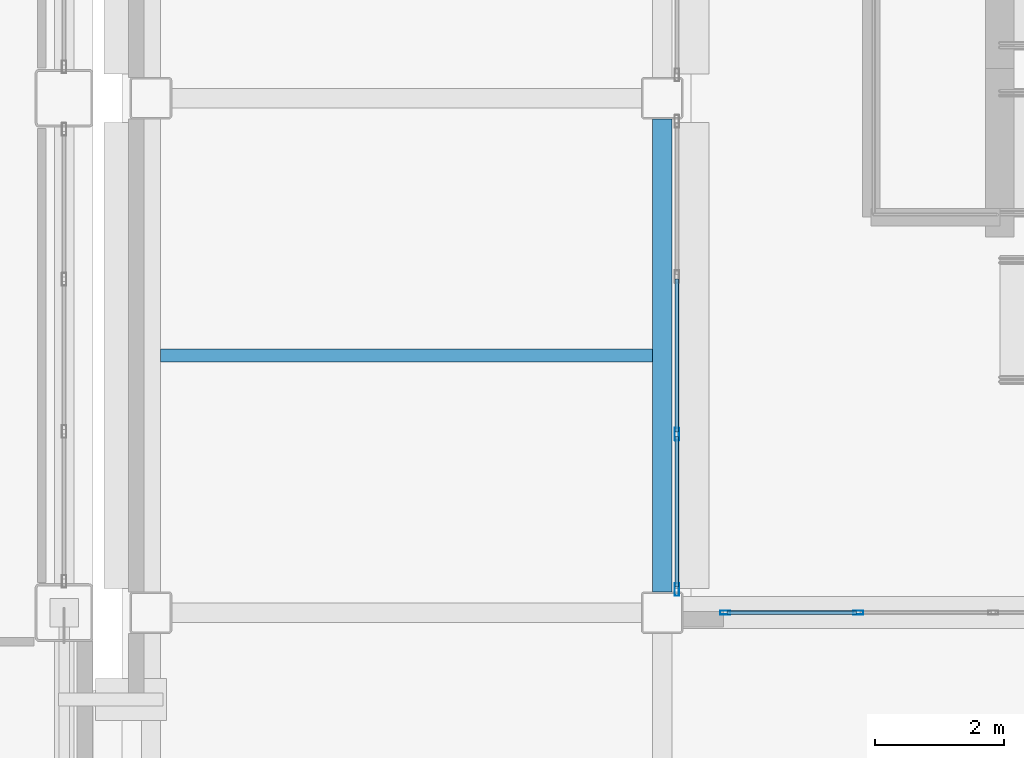
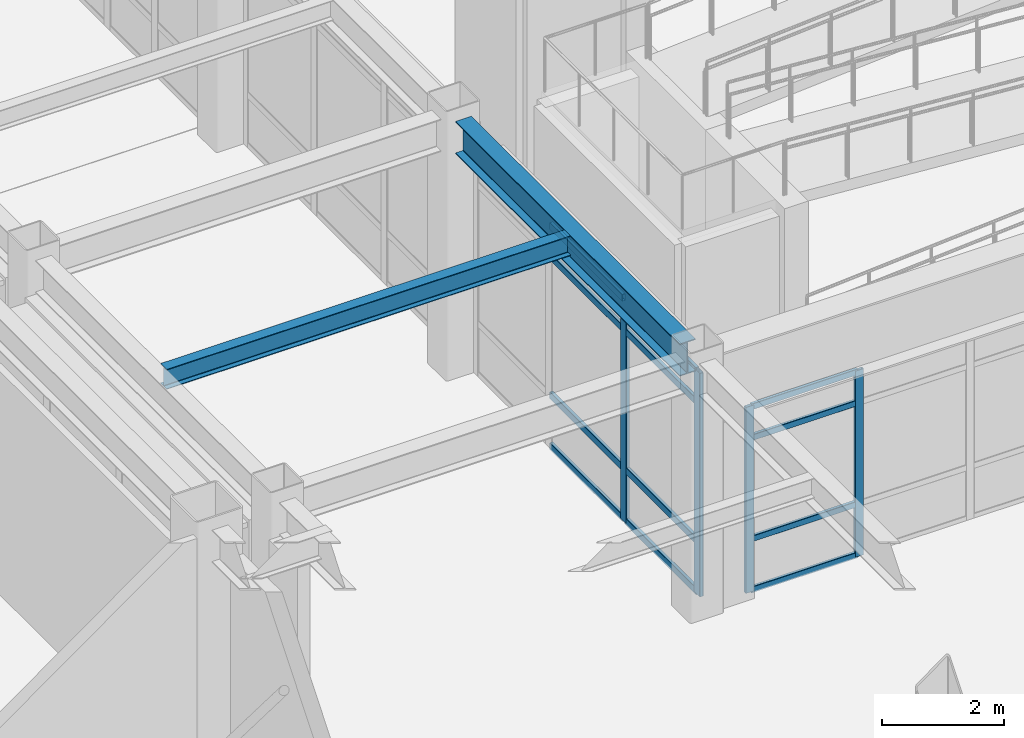
# One storey, part 49 of 165: 16 members, 2 beams, 2 elements without a shape of their own.
"""IFC4 building model written with IfcOpenShell, lengths in metres."""

from ifc_helpers import new_model, si_unit, direction, frame, origin, origin_2d, place, context, subcontext, project, spatial, hollow_rectangle, i_section, extrude, material, layer, layer_set, material_profile, profile_set, type_object, element, aggregate, save


model = new_model("IFC4")

# Units and contexts
model_context = context("Model", 3, precision=1e-05, world=origin(), true_north=direction((0.0, 1.0)))
body_context = subcontext(model_context, "Body", "Model", "MODEL_VIEW")
ifc_project = project(units=[si_unit("LENGTHUNIT", "METRE"), si_unit("AREAUNIT", "SQUARE_METRE"), si_unit("VOLUMEUNIT", "CUBIC_METRE"), si_unit("PLANEANGLEUNIT", "RADIAN"), si_unit("MASSUNIT", "GRAM", prefix="KILO")], contexts=[model_context])

# Site, building, storey
site_placement = place(None, origin())
site = spatial("IfcSite", under=ifc_project, at=site_placement, CompositionType="ELEMENT")
building_placement = place(site_placement, origin())
building = spatial("IfcBuilding", under=site, at=building_placement, Name="Kazehara Bluff Congress Hotel", CompositionType="ELEMENT")
storey_placement = place(building_placement, origin())
storey = spatial("IfcBuildingStorey", under=building, at=storey_placement, Name="L00", CompositionType="ELEMENT", Elevation=0.0)

# Curtain wall, members
ifc_material_1 = material(Name="Anodised aluminium", Category="aluminium")
ifc_layer_1 = layer(ifc_material_1, 0.159912109375)
ifc_layer_set_1 = layer_set([ifc_layer_1], Name="Anodised aluminium")
curtain_wall_type_1 = type_object("IfcCurtainWallType", Name="TP-CW-67", PredefinedType="NOTDEFINED", material=ifc_layer_set_1)
curtain_wall_1_placement = place(storey_placement, origin())
curtain_wall_1 = element("IfcCurtainWall", 1, at=curtain_wall_1_placement, inside=storey, type_object=curtain_wall_type_1, Name="L00 curtain wall CW-67 CW-V4-L00-Y5645-6860", PredefinedType="NOTDEFINED")
ifc_material_2 = material(Name="Anodised aluminium", Category="aluminium")
ifc_material_profile_1 = material_profile(ifc_material_2, hollow_rectangle(XDim=0.06005859375, YDim=0.159912109375, WallThickness=0.00390625, InnerFilletRadius=0.00390625, OuterFilletRadius=0.008056640625, at=origin_2d()))
ifc_profile_set_1 = profile_set([ifc_material_profile_1], Name="Anodised aluminium")
member_type_1 = type_object("IfcMemberType", Name="TP-CWM-01", PredefinedType="MULLION", material=ifc_profile_set_1)
member_1_placement = place(storey_placement, frame((68.6298828125, 56.449951171875, 0.0), z_axis=(0.0, 0.0, 1.0), x_axis=(0.0, 1.0, 0.0)))
member_1 = element("IfcMember", 2, at=member_1_placement, type_object=member_type_1, Name="CW-67 mullion 1", PredefinedType="MULLION", context=body_context, shape_type="SweptSolid", body=[
    extrude(hollow_rectangle(XDim=0.06005859375, YDim=0.159912109375, WallThickness=0.00390625, InnerFilletRadius=0.00390625, OuterFilletRadius=0.008056640625, at=origin_2d()), origin(), (0.0, 0.0, 1.0), 3.72509765625),
])
member_2_placement = place(storey_placement, frame((70.699951171875, 56.449951171875, 0.0), z_axis=(0.0, 0.0, 1.0), x_axis=(0.0, 1.0, 0.0)))
member_2 = element("IfcMember", 3, at=member_2_placement, type_object=member_type_1, Name="CW-67 mullion 2", PredefinedType="MULLION", context=body_context, shape_type="SweptSolid", body=[
    extrude(hollow_rectangle(XDim=0.06005859375, YDim=0.159912109375, WallThickness=0.00390625, InnerFilletRadius=0.00390625, OuterFilletRadius=0.008056640625, at=origin_2d()), origin(), (0.0, 0.0, 1.0), 3.72509765625),
])

ifc_material_3 = material(Name="Anodised aluminium", Category="aluminium")
ifc_layer_2 = layer(ifc_material_3, 0.159912109375)
ifc_layer_set_2 = layer_set([ifc_layer_2], Name="Anodised aluminium")
curtain_wall_type_2 = type_object("IfcCurtainWallType", Name="TP-CW-52", PredefinedType="NOTDEFINED", material=ifc_layer_set_2)
curtain_wall_2_placement = place(storey_placement, origin())
curtain_wall_2 = element("IfcCurtainWall", 4, at=curtain_wall_2_placement, inside=storey, type_object=curtain_wall_type_2, Name="L00 curtain wall CW-52 CW-ENC-V4-L00-6788-6045", PredefinedType="NOTDEFINED")
ifc_material_4 = material(Name="Anodised aluminium", Category="aluminium")
ifc_material_profile_2 = material_profile(ifc_material_4, hollow_rectangle(XDim=0.070068359375, YDim=0.199951171875, WallThickness=0.0048828125, InnerFilletRadius=0.0048828125, OuterFilletRadius=0.010009765625, at=origin_2d()))
ifc_profile_set_2 = profile_set([ifc_material_profile_2], Name="Anodised aluminium")
member_type_2 = type_object("IfcMemberType", Name="TP-CWM-03", PredefinedType="MULLION", material=ifc_profile_set_2)
member_3_placement = place(storey_placement, frame((67.8798828125, 59.22509765625, 0.0), z_axis=(0.0, 0.0, 1.0), x_axis=(1.0, 0.0, 0.0)))
member_3 = element("IfcMember", 5, at=member_3_placement, type_object=member_type_2, Name="CW-52 mullion 3", PredefinedType="MULLION", context=body_context, shape_type="SweptSolid", body=[
    extrude(hollow_rectangle(XDim=0.070068359375, YDim=0.199951171875, WallThickness=0.0048828125, InnerFilletRadius=0.0048828125, OuterFilletRadius=0.010009765625, at=origin_2d()), origin(), (0.0, 0.0, 1.0), 4.47509765625),
])
member_4_placement = place(storey_placement, frame((67.8798828125, 56.81005859375, 0.0), z_axis=(0.0, 0.0, 1.0), x_axis=(1.0, 0.0, 0.0)))
member_4 = element("IfcMember", 6, at=member_4_placement, type_object=member_type_2, Name="CW-52 mullion 4", PredefinedType="MULLION", context=body_context, shape_type="SweptSolid", body=[
    extrude(hollow_rectangle(XDim=0.070068359375, YDim=0.199951171875, WallThickness=0.0048828125, InnerFilletRadius=0.0048828125, OuterFilletRadius=0.010009765625, at=origin_2d()), origin(), (0.0, 0.0, 1.0), 4.47509765625),
])

# Member
ifc_material_5 = material(Name="Anodised aluminium", Category="aluminium")
ifc_material_profile_3 = material_profile(ifc_material_5, hollow_rectangle(XDim=0.06005859375, YDim=0.1201171875, WallThickness=0.00390625, InnerFilletRadius=0.00390625, OuterFilletRadius=0.008056640625, at=origin_2d()))
ifc_profile_set_3 = profile_set([ifc_material_profile_3], Name="Anodised aluminium")
member_type_3 = type_object("IfcMemberType", Name="TP-CWT-01", PredefinedType="USERDEFINED", material=ifc_profile_set_3)
member_5_placement = place(storey_placement, frame((68.659912109375, 56.449951171875, 0.030029296875), z_axis=(1.0, 0.0, 0.0), x_axis=(0.0, 1.0, 0.0)))
member_5 = element("IfcMember", 7, at=member_5_placement, type_object=member_type_3, Name="CW-67 transom 1.1", ObjectType="TRANSOM", PredefinedType="USERDEFINED", context=body_context, shape_type="SweptSolid", body=[
    extrude(hollow_rectangle(XDim=0.06005859375, YDim=0.1201171875, WallThickness=0.00390625, InnerFilletRadius=0.00390625, OuterFilletRadius=0.008056640625, at=origin_2d()), origin(), (0.0, 0.0, 1.0), 2.010009765625),
])

member_6_placement = place(storey_placement, frame((68.659912109375, 56.449951171875, 1.050048828125), z_axis=(1.0, 0.0, 0.0), x_axis=(0.0, 1.0, 0.0)))
member_6 = element("IfcMember", 8, at=member_6_placement, type_object=member_type_3, Name="CW-67 transom 1.2", ObjectType="TRANSOM", PredefinedType="USERDEFINED", context=body_context, shape_type="SweptSolid", body=[
    extrude(hollow_rectangle(XDim=0.06005859375, YDim=0.1201171875, WallThickness=0.00390625, InnerFilletRadius=0.00390625, OuterFilletRadius=0.008056640625, at=origin_2d()), origin(), (0.0, 0.0, 1.0), 2.010009765625),
])

member_7_placement = place(storey_placement, frame((68.659912109375, 56.449951171875, 3.074951171875), z_axis=(1.0, 0.0, 0.0), x_axis=(0.0, 1.0, 0.0)))
member_7 = element("IfcMember", 9, at=member_7_placement, type_object=member_type_3, Name="CW-67 transom 1.3", ObjectType="TRANSOM", PredefinedType="USERDEFINED", context=body_context, shape_type="SweptSolid", body=[
    extrude(hollow_rectangle(XDim=0.06005859375, YDim=0.1201171875, WallThickness=0.00390625, InnerFilletRadius=0.00390625, OuterFilletRadius=0.008056640625, at=origin_2d()), origin(), (0.0, 0.0, 1.0), 2.010009765625),
])

member_8_placement = place(storey_placement, frame((68.659912109375, 56.449951171875, 3.695068359375), z_axis=(1.0, 0.0, 0.0), x_axis=(0.0, 1.0, 0.0)))
member_8 = element("IfcMember", 10, at=member_8_placement, type_object=member_type_3, Name="CW-67 transom 1.4", ObjectType="TRANSOM", PredefinedType="USERDEFINED", context=body_context, shape_type="SweptSolid", body=[
    extrude(hollow_rectangle(XDim=0.06005859375, YDim=0.1201171875, WallThickness=0.00390625, InnerFilletRadius=0.00390625, OuterFilletRadius=0.008056640625, at=origin_2d()), origin(), (0.0, 0.0, 1.0), 2.010009765625),
])

aggregate(curtain_wall_1, [member_1, member_2, member_5, member_6, member_7, member_8])

ifc_material_6 = material(Name="Anodised aluminium", Category="aluminium")
ifc_material_profile_4 = material_profile(ifc_material_6, hollow_rectangle(XDim=0.06494140625, YDim=0.139892578125, WallThickness=0.00390625, InnerFilletRadius=0.00390625, OuterFilletRadius=0.008056640625, at=origin_2d()))
ifc_profile_set_4 = profile_set([ifc_material_profile_4], Name="Anodised aluminium")
member_type_4 = type_object("IfcMemberType", Name="TP-CWT-02", PredefinedType="USERDEFINED", material=ifc_profile_set_4)
member_9_placement = place(storey_placement, frame((67.8798828125, 61.639892578125, 0.032470703125), z_axis=(0.0, -1.0, 0.0), x_axis=(1.0, 0.0, 0.0)))
member_9 = element("IfcMember", 11, at=member_9_placement, type_object=member_type_4, Name="CW-52 transom 2.1", ObjectType="TRANSOM", PredefinedType="USERDEFINED", context=body_context, shape_type="SweptSolid", body=[
    extrude(hollow_rectangle(XDim=0.06494140625, YDim=0.139892578125, WallThickness=0.00390625, InnerFilletRadius=0.00390625, OuterFilletRadius=0.008056640625, at=origin_2d()), origin(), (0.0, 0.0, 1.0), 2.3798828125),
])

member_10_placement = place(storey_placement, frame((67.8798828125, 61.639892578125, 1.050048828125), z_axis=(0.0, -1.0, 0.0), x_axis=(1.0, 0.0, 0.0)))
member_10 = element("IfcMember", 12, at=member_10_placement, type_object=member_type_4, Name="CW-52 transom 2.2", ObjectType="TRANSOM", PredefinedType="USERDEFINED", context=body_context, shape_type="SweptSolid", body=[
    extrude(hollow_rectangle(XDim=0.06494140625, YDim=0.139892578125, WallThickness=0.00390625, InnerFilletRadius=0.00390625, OuterFilletRadius=0.008056640625, at=origin_2d()), origin(), (0.0, 0.0, 1.0), 2.3798828125),
])

member_11_placement = place(storey_placement, frame((67.8798828125, 61.639892578125, 3.824951171875), z_axis=(0.0, -1.0, 0.0), x_axis=(1.0, 0.0, 0.0)))
member_11 = element("IfcMember", 13, at=member_11_placement, type_object=member_type_4, Name="CW-52 transom 2.3", ObjectType="TRANSOM", PredefinedType="USERDEFINED", context=body_context, shape_type="SweptSolid", body=[
    extrude(hollow_rectangle(XDim=0.06494140625, YDim=0.139892578125, WallThickness=0.00390625, InnerFilletRadius=0.00390625, OuterFilletRadius=0.008056640625, at=origin_2d()), origin(), (0.0, 0.0, 1.0), 2.3798828125),
])

member_12_placement = place(storey_placement, frame((67.8798828125, 61.639892578125, 4.4423828125), z_axis=(0.0, -1.0, 0.0), x_axis=(1.0, 0.0, 0.0)))
member_12 = element("IfcMember", 14, at=member_12_placement, type_object=member_type_4, Name="CW-52 transom 2.4", ObjectType="TRANSOM", PredefinedType="USERDEFINED", context=body_context, shape_type="SweptSolid", body=[
    extrude(hollow_rectangle(XDim=0.06494140625, YDim=0.139892578125, WallThickness=0.00390625, InnerFilletRadius=0.00390625, OuterFilletRadius=0.008056640625, at=origin_2d()), origin(), (0.0, 0.0, 1.0), 2.3798828125),
])

member_13_placement = place(storey_placement, frame((67.8798828125, 59.18994140625, 0.032470703125), z_axis=(0.0, -1.0, 0.0), x_axis=(1.0, 0.0, 0.0)))
member_13 = element("IfcMember", 15, at=member_13_placement, type_object=member_type_4, Name="CW-52 transom 3.1", ObjectType="TRANSOM", PredefinedType="USERDEFINED", context=body_context, shape_type="SweptSolid", body=[
    extrude(hollow_rectangle(XDim=0.06494140625, YDim=0.139892578125, WallThickness=0.00390625, InnerFilletRadius=0.00390625, OuterFilletRadius=0.008056640625, at=origin_2d()), origin(), (0.0, 0.0, 1.0), 2.344970703125),
])

member_14_placement = place(storey_placement, frame((67.8798828125, 59.18994140625, 1.050048828125), z_axis=(0.0, -1.0, 0.0), x_axis=(1.0, 0.0, 0.0)))
member_14 = element("IfcMember", 16, at=member_14_placement, type_object=member_type_4, Name="CW-52 transom 3.2", ObjectType="TRANSOM", PredefinedType="USERDEFINED", context=body_context, shape_type="SweptSolid", body=[
    extrude(hollow_rectangle(XDim=0.06494140625, YDim=0.139892578125, WallThickness=0.00390625, InnerFilletRadius=0.00390625, OuterFilletRadius=0.008056640625, at=origin_2d()), origin(), (0.0, 0.0, 1.0), 2.344970703125),
])

member_15_placement = place(storey_placement, frame((67.8798828125, 59.18994140625, 3.824951171875), z_axis=(0.0, -1.0, 0.0), x_axis=(1.0, 0.0, 0.0)))
member_15 = element("IfcMember", 17, at=member_15_placement, type_object=member_type_4, Name="CW-52 transom 3.3", ObjectType="TRANSOM", PredefinedType="USERDEFINED", context=body_context, shape_type="SweptSolid", body=[
    extrude(hollow_rectangle(XDim=0.06494140625, YDim=0.139892578125, WallThickness=0.00390625, InnerFilletRadius=0.00390625, OuterFilletRadius=0.008056640625, at=origin_2d()), origin(), (0.0, 0.0, 1.0), 2.344970703125),
])

member_16_placement = place(storey_placement, frame((67.8798828125, 59.18994140625, 4.4423828125), z_axis=(0.0, -1.0, 0.0), x_axis=(1.0, 0.0, 0.0)))
member_16 = element("IfcMember", 18, at=member_16_placement, type_object=member_type_4, Name="CW-52 transom 3.4", ObjectType="TRANSOM", PredefinedType="USERDEFINED", context=body_context, shape_type="SweptSolid", body=[
    extrude(hollow_rectangle(XDim=0.06494140625, YDim=0.139892578125, WallThickness=0.00390625, InnerFilletRadius=0.00390625, OuterFilletRadius=0.008056640625, at=origin_2d()), origin(), (0.0, 0.0, 1.0), 2.344970703125),
])

aggregate(curtain_wall_2, [member_3, member_4, member_9, member_10, member_11, member_12, member_13, member_14, member_15, member_16])

# Beams
ifc_material_7 = material(Name="Steel SN490B", Category="steel")
ifc_material_profile_5 = material_profile(ifc_material_7, i_section(OverallWidth=0.300048828125, OverallDepth=0.64990234375, WebThickness=0.011962890625, FlangeThickness=0.02001953125, FilletRadius=0.012939453125, at=origin_2d()))
ifc_profile_set_5 = profile_set([ifc_material_profile_5], Name="Steel SN490B")
beam_type_1 = type_object("IfcBeamType", Name="TP-G-03", PredefinedType="BEAM", material=ifc_profile_set_5)
beam_1_placement = place(storey_placement, frame((67.64990234375, 56.77490234375, 4.824951171875), z_axis=(0.0, 1.0, 0.0), x_axis=(-1.0, 0.0, 0.0)))
element("IfcBeam", 19, at=beam_1_placement, inside=storey, type_object=beam_type_1, Name="L00 girder G-03 160", PredefinedType="BEAM", context=body_context, shape_type="SweptSolid", body=[
    extrude(i_section(OverallWidth=0.300048828125, OverallDepth=0.64990234375, WebThickness=0.011962890625, FlangeThickness=0.02001953125, FilletRadius=0.012939453125, at=origin_2d()), origin(), (0.0, 0.0, 1.0), 7.35009765625),
])
ifc_material_8 = material(Name="Steel SN400B", Category="steel")
ifc_material_profile_6 = material_profile(ifc_material_8, i_section(OverallWidth=0.199951171875, OverallDepth=0.39990234375, WebThickness=0.008056640625, FlangeThickness=0.012939453125, FilletRadius=0.012939453125, at=origin_2d()))
ifc_profile_set_6 = profile_set([ifc_material_profile_6], Name="Steel SN400B")
beam_type_2 = type_object("IfcBeamType", Name="TP-J-03", PredefinedType="JOIST", material=ifc_profile_set_6)
beam_2_placement = place(storey_placement, frame((59.85009765625, 60.449951171875, 4.949951171875), z_axis=(1.0, 0.0, 0.0), x_axis=(0.0, 1.0, 0.0)))
element("IfcBeam", 20, at=beam_2_placement, inside=storey, type_object=beam_type_2, Name="L00 secondary joist J-03 35", PredefinedType="JOIST", context=body_context, shape_type="SweptSolid", body=[
    extrude(i_section(OverallWidth=0.199951171875, OverallDepth=0.39990234375, WebThickness=0.008056640625, FlangeThickness=0.012939453125, FilletRadius=0.012939453125, at=origin_2d()), origin(), (0.0, 0.0, 1.0), 7.64990234375),
])

save(model, "model.ifc")
